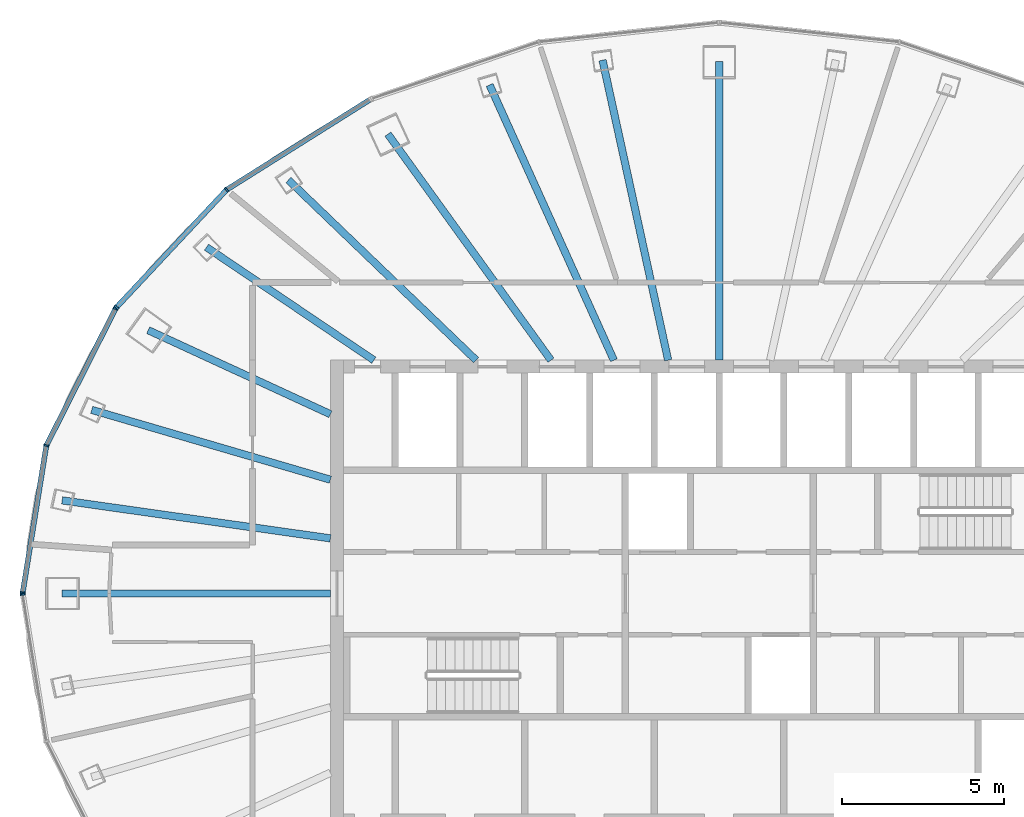
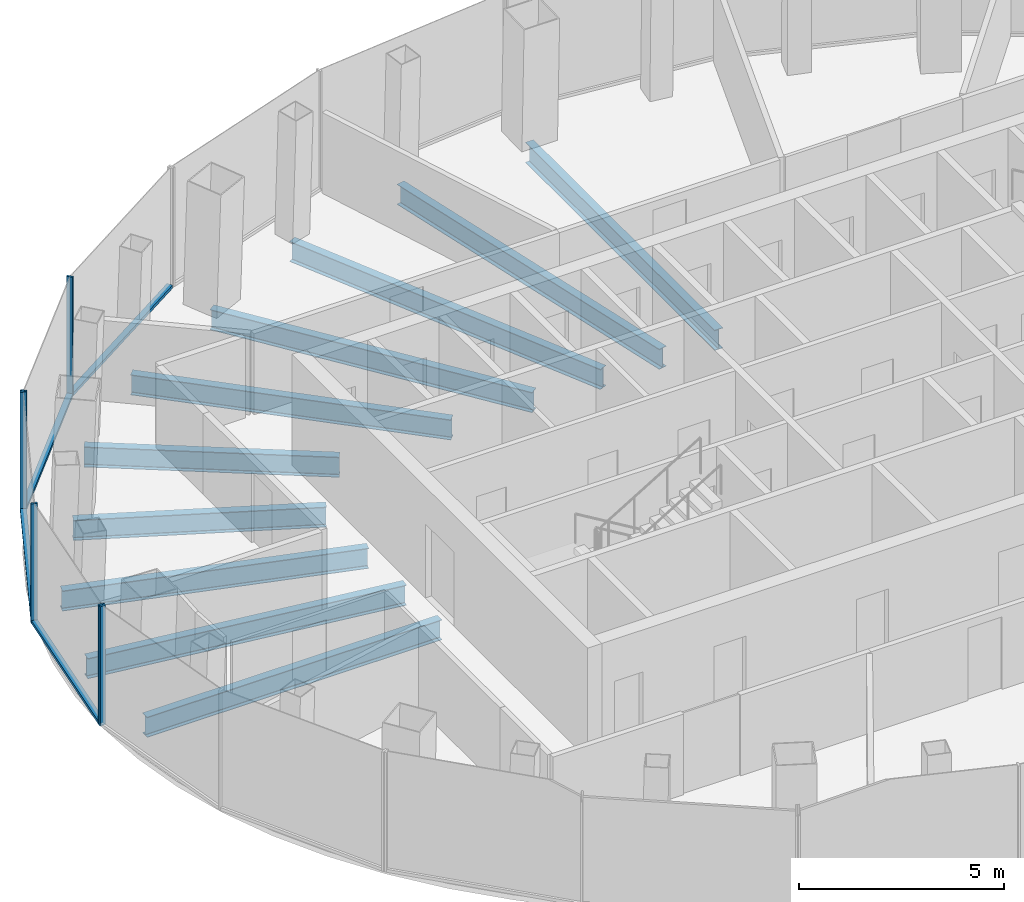
# One storey, part 4 of 12: 10 beams, 10 members, 3 elements without a shape of their own.
"""IFC4 building model written with IfcOpenShell, lengths in metres."""

from ifc_helpers import new_model, si_unit, direction, frame, origin, origin_2d, place, context, subcontext, project, spatial, rectangle, i_section, extrude, material, layer, layer_set, material_profile, profile_set, type_object, element, aggregate, save


model = new_model("IFC4")

# Units and contexts
model_context = context("Model", 3, precision=1e-05, world=origin(), true_north=direction((0.0, 1.0)))
body_context = subcontext(model_context, "Body", "Model", "MODEL_VIEW")
ifc_project = project(units=[si_unit("LENGTHUNIT", "METRE"), si_unit("AREAUNIT", "SQUARE_METRE"), si_unit("VOLUMEUNIT", "CUBIC_METRE"), si_unit("PLANEANGLEUNIT", "RADIAN"), si_unit("MASSUNIT", "GRAM", prefix="KILO")], contexts=[model_context])

# Site, building, storey
site_placement = place(None, origin())
site = spatial("IfcSite", under=ifc_project, at=site_placement, CompositionType="ELEMENT")
building_placement = place(site_placement, origin())
building = spatial("IfcBuilding", under=site, at=building_placement, Name="Siaravel Broadcast Tower", CompositionType="ELEMENT")
storey_placement = place(building_placement, frame((0.0, 0.0, 235.60009765625)))
storey = spatial("IfcBuildingStorey", under=building, at=storey_placement, Name="L57", CompositionType="ELEMENT", Elevation=235.60009765625)

# Beams
ifc_material_1 = material(Name="Steel S355", Category="steel")
ifc_material_profile_1 = material_profile(ifc_material_1, i_section(OverallWidth=0.2275390625, OverallDepth=0.6025390625, WebThickness=0.010498046875, FlangeThickness=0.014892578125, FilletRadius=0.0126953125, at=origin_2d()))
ifc_profile_set_1 = profile_set([ifc_material_profile_1], Name="Steel S355")
beam_type = type_object("IfcBeamType", Name="BM-UB 610x229x101", PredefinedType="BEAM", material=ifc_profile_set_1)
beam_1_placement = place(storey_placement, frame((0.0, 16.419189453125, -0.451416015625), z_axis=(0.0, -1.0, 0.0), x_axis=(1.0, 0.0, 0.0)))
element("IfcBeam", 1, at=beam_1_placement, inside=storey, type_object=beam_type, Name="Radial beam RB10", PredefinedType="BEAM", context=body_context, shape_type="SweptSolid", body=[
    extrude(i_section(OverallWidth=0.2275390625, OverallDepth=0.6025390625, WebThickness=0.010498046875, FlangeThickness=0.014892578125, FilletRadius=0.0126953125, at=origin_2d()), origin(), (0.0, 0.0, 1.0), 9.21923828125),
])
beam_2_placement = place(storey_placement, frame((-3.599609375, 16.461181640625, -0.451416015625), z_axis=(0.213621611, -0.976916479, 0.0), x_axis=(0.976916479, 0.213621611, 0.0)))
element("IfcBeam", 2, at=beam_2_placement, inside=storey, type_object=beam_type, Name="Radial beam RB11", PredefinedType="BEAM", context=body_context, shape_type="SweptSolid", body=[
    extrude(i_section(OverallWidth=0.2275390625, OverallDepth=0.6025390625, WebThickness=0.010498046875, FlangeThickness=0.014892578125, FilletRadius=0.0126953125, at=origin_2d()), origin(), (0.0, 0.0, 1.0), 9.47998046875),
])
beam_3_placement = place(storey_placement, frame((-7.086669921875, 15.696044921875, -0.451416015625), z_axis=(0.4114969, -0.911411159, 0.0), x_axis=(0.911411159, 0.4114969, 0.0)))
element("IfcBeam", 3, at=beam_3_placement, inside=storey, type_object=beam_type, Name="Radial beam RB12", PredefinedType="BEAM", context=body_context, shape_type="SweptSolid", body=[
    extrude(i_section(OverallWidth=0.2275390625, OverallDepth=0.6025390625, WebThickness=0.010498046875, FlangeThickness=0.014892578125, FilletRadius=0.0126953125, at=origin_2d()), origin(), (0.0, 0.0, 1.0), 9.322021484375),
])
beam_4_placement = place(storey_placement, frame((-10.2236328125, 14.177490234375, -0.451416015625), z_axis=(0.584910141, -0.811098099, 0.0), x_axis=(0.811098099, 0.584910141, 0.0)))
element("IfcBeam", 4, at=beam_4_placement, inside=storey, type_object=beam_type, Name="Radial beam RB13", PredefinedType="BEAM", context=body_context, shape_type="SweptSolid", body=[
    extrude(i_section(OverallWidth=0.2275390625, OverallDepth=0.6025390625, WebThickness=0.010498046875, FlangeThickness=0.014892578125, FilletRadius=0.0126953125, at=origin_2d()), origin(), (0.0, 0.0, 1.0), 8.6025390625),
])
beam_5_placement = place(storey_placement, frame((-13.294921875, 12.76123046875, -0.451416015625), z_axis=(0.721429237, -0.692488163, 0.0), x_axis=(0.692488163, 0.721429237, 0.0)))
element("IfcBeam", 5, at=beam_5_placement, inside=storey, type_object=beam_type, Name="Radial beam RB14", PredefinedType="BEAM", context=body_context, shape_type="SweptSolid", body=[
    extrude(i_section(OverallWidth=0.2275390625, OverallDepth=0.6025390625, WebThickness=0.010498046875, FlangeThickness=0.014892578125, FilletRadius=0.0126953125, at=origin_2d()), origin(), (0.0, 0.0, 1.0), 8.03076171875),
])
beam_6_placement = place(storey_placement, frame((-15.8251953125, 10.688720703125, -0.451416015625), z_axis=(0.828672445, -0.559733846, 0.0), x_axis=(0.559733846, 0.828672445, 0.0)))
element("IfcBeam", 6, at=beam_6_placement, inside=storey, type_object=beam_type, Name="Radial beam RB15", PredefinedType="BEAM", context=body_context, shape_type="SweptSolid", body=[
    extrude(i_section(OverallWidth=0.2275390625, OverallDepth=0.6025390625, WebThickness=0.010498046875, FlangeThickness=0.014892578125, FilletRadius=0.0126953125, at=origin_2d()), origin(), (0.0, 0.0, 1.0), 6.23291015625),
])
beam_7_placement = place(storey_placement, frame((-17.623291015625, 8.1259765625, -0.451416015625), z_axis=(0.908103573, -0.418745628, 0.0), x_axis=(0.418745628, 0.908103573, 0.0)))
element("IfcBeam", 7, at=beam_7_placement, inside=storey, type_object=beam_type, Name="Radial beam RB16", PredefinedType="BEAM", context=body_context, shape_type="SweptSolid", body=[
    extrude(i_section(OverallWidth=0.2275390625, OverallDepth=0.6025390625, WebThickness=0.010498046875, FlangeThickness=0.014892578125, FilletRadius=0.0126953125, at=origin_2d()), origin(), (0.0, 0.0, 1.0), 6.1923828125),
])
beam_8_placement = place(storey_placement, frame((-19.3671875, 5.6669921875, -0.451416015625), z_axis=(0.959763126, -0.280810864, 0.0), x_axis=(0.280810864, 0.959763126, 0.0)))
element("IfcBeam", 8, at=beam_8_placement, inside=storey, type_object=beam_type, Name="Radial beam RB17", PredefinedType="BEAM", context=body_context, shape_type="SweptSolid", body=[
    extrude(i_section(OverallWidth=0.2275390625, OverallDepth=0.6025390625, WebThickness=0.010498046875, FlangeThickness=0.014892578125, FilletRadius=0.0126953125, at=origin_2d()), origin(), (0.0, 0.0, 1.0), 7.676025390625),
])
beam_9_placement = place(storey_placement, frame((-20.281005859375, 2.873779296875, -0.451416015625), z_axis=(0.990110561, -0.140289258, 0.0), x_axis=(0.140289258, 0.990110561, 0.0)))
element("IfcBeam", 9, at=beam_9_placement, inside=storey, type_object=beam_type, Name="Radial beam RB18", PredefinedType="BEAM", context=body_context, shape_type="SweptSolid", body=[
    extrude(i_section(OverallWidth=0.2275390625, OverallDepth=0.6025390625, WebThickness=0.010498046875, FlangeThickness=0.014892578125, FilletRadius=0.0126953125, at=origin_2d()), origin(), (0.0, 0.0, 1.0), 8.36376953125),
])
beam_10_placement = place(storey_placement, frame((-20.2880859375, 0.0, -0.451416015625), z_axis=(1.0, 0.0, 0.0), x_axis=(0.0, 1.0, 0.0)))
element("IfcBeam", 10, at=beam_10_placement, inside=storey, type_object=beam_type, Name="Radial beam RB19", PredefinedType="BEAM", context=body_context, shape_type="SweptSolid", body=[
    extrude(i_section(OverallWidth=0.2275390625, OverallDepth=0.6025390625, WebThickness=0.010498046875, FlangeThickness=0.014892578125, FilletRadius=0.0126953125, at=origin_2d()), origin(), (0.0, 0.0, 1.0), 8.2880859375),
])

# Curtain wall, members
ifc_material_2 = material(Name="Aluminium 6063-T6", Category="aluminium")
ifc_layer = layer(ifc_material_2, 0.159912109375)
ifc_layer_set = layer_set([ifc_layer], Name="Aluminium 6063-T6")
curtain_wall_type = type_object("IfcCurtainWallType", Name="Unitised curtain wall, zone 4", PredefinedType="NOTDEFINED", material=ifc_layer_set)
curtain_wall_1_placement = place(storey_placement, origin())
curtain_wall_1 = element("IfcCurtainWall", 11, at=curtain_wall_1_placement, inside=storey, type_object=curtain_wall_type, Name="L57 Unitised curtain wall, zone 4 05", PredefinedType="NOTDEFINED")
ifc_material_profile_2 = material_profile(ifc_material_2, rectangle(XDim=0.159912109375, YDim=0.054931640625, at=origin_2d()))
ifc_profile_set_2 = profile_set([ifc_material_profile_2], Name="Aluminium 6063-T6")
member_type_1 = type_object("IfcMemberType", Name="CW-Z4 mullion", PredefinedType="MULLION", material=ifc_profile_set_2)
member_1_placement = place(storey_placement, frame((-15.200439453125, 12.463623046875, 0.0), z_axis=(0.0, 0.0, 1.0), x_axis=(0.636219746, -0.771507897, 0.0)))
member_1 = element("IfcMember", 12, at=member_1_placement, type_object=member_type_1, Name="CW-Z4 mullion 2", PredefinedType="MULLION", context=body_context, shape_type="SweptSolid", body=[
    extrude(rectangle(XDim=0.159912109375, YDim=0.054931640625, at=origin_2d()), origin(), (0.0, 0.0, 1.0), 3.5498046875),
])
member_2_placement = place(storey_placement, frame((-18.60009765625, 8.834716796875, 0.0), z_axis=(0.0, 0.0, 1.0), x_axis=(0.72980635, -0.683653927, 0.0)))
member_2 = element("IfcMember", 13, at=member_2_placement, type_object=member_type_1, Name="CW-Z4 mullion 3", PredefinedType="MULLION", context=body_context, shape_type="SweptSolid", body=[
    extrude(rectangle(XDim=0.159912109375, YDim=0.054931640625, at=origin_2d()), origin(), (0.0, 0.0, 1.0), 3.5498046875),
])

curtain_wall_2_placement = place(storey_placement, origin())
curtain_wall_2 = element("IfcCurtainWall", 14, at=curtain_wall_2_placement, inside=storey, type_object=curtain_wall_type, Name="L57 Unitised curtain wall, zone 4 06", PredefinedType="NOTDEFINED")
member_3_placement = place(storey_placement, frame((-18.63134765625, 8.7900390625, 0.0), z_axis=(0.0, 0.0, 1.0), x_axis=(0.89239278, -0.451259489, 0.0)))
member_3 = element("IfcMember", 15, at=member_3_placement, type_object=member_type_1, Name="CW-Z4 mullion 1", PredefinedType="MULLION", context=body_context, shape_type="SweptSolid", body=[
    extrude(rectangle(XDim=0.159912109375, YDim=0.054931640625, at=origin_2d()), origin(), (0.0, 0.0, 1.0), 3.5498046875),
])
member_4_placement = place(storey_placement, frame((-20.7685546875, 4.5634765625, 0.0), z_axis=(0.0, 0.0, 1.0), x_axis=(0.951177556, -0.308644223, 0.0)))
member_4 = element("IfcMember", 16, at=member_4_placement, type_object=member_type_1, Name="CW-Z4 mullion 2", PredefinedType="MULLION", context=body_context, shape_type="SweptSolid", body=[
    extrude(rectangle(XDim=0.159912109375, YDim=0.054931640625, at=origin_2d()), origin(), (0.0, 0.0, 1.0), 3.5498046875),
])
member_5_placement = place(storey_placement, frame((-21.49755859375, 0.027099609375, 0.0), z_axis=(0.0, 0.0, 1.0), x_axis=(0.987329287, -0.158684841, 0.0)))
member_5 = element("IfcMember", 17, at=member_5_placement, type_object=member_type_1, Name="CW-Z4 mullion 3", PredefinedType="MULLION", context=body_context, shape_type="SweptSolid", body=[
    extrude(rectangle(XDim=0.159912109375, YDim=0.054931640625, at=origin_2d()), origin(), (0.0, 0.0, 1.0), 3.5498046875),
])

# Curtain wall, member
curtain_wall_3_placement = place(storey_placement, origin())
curtain_wall_3 = element("IfcCurtainWall", 18, at=curtain_wall_3_placement, inside=storey, type_object=curtain_wall_type, Name="L57 Unitised curtain wall, zone 4 07", PredefinedType="NOTDEFINED")
member_6_placement = place(storey_placement, frame((-21.49755859375, -0.027099609375, 0.0), z_axis=(0.0, 0.0, 1.0), x_axis=(0.987329287, 0.158684841, 0.0)))
member_6 = element("IfcMember", 19, at=member_6_placement, type_object=member_type_1, Name="CW-Z4 mullion 1", PredefinedType="MULLION", context=body_context, shape_type="SweptSolid", body=[
    extrude(rectangle(XDim=0.159912109375, YDim=0.054931640625, at=origin_2d()), origin(), (0.0, 0.0, 1.0), 3.5498046875),
])
aggregate(curtain_wall_3, [member_6])

# Member
ifc_material_profile_3 = material_profile(ifc_material_2, rectangle(XDim=0.159912109375, YDim=0.090087890625, at=origin_2d()))
ifc_profile_set_3 = profile_set([ifc_material_profile_3], Name="Aluminium 6063-T6")
member_type_2 = type_object("IfcMemberType", Name="CW-Z4 transom", PredefinedType="USERDEFINED", material=ifc_profile_set_3)
member_7_placement = place(storey_placement, frame((-10.7939453125, 15.2333984375, 0.044921875), z_axis=(-0.846644441, -0.53215899, 0.0), x_axis=(0.53215899, -0.846644441, 0.0)))
member_7 = element("IfcMember", 20, at=member_7_placement, type_object=member_type_2, Name="CW-Z4 transom 1", ObjectType="TRANSOM", PredefinedType="USERDEFINED", context=body_context, shape_type="SweptSolid", body=[
    extrude(rectangle(XDim=0.159912109375, YDim=0.090087890625, at=origin_2d()), origin(), (0.0, 0.0, 1.0), 5.17724609375),
])

member_8_placement = place(storey_placement, frame((-15.21923828125, 12.443603515625, 0.044921875), z_axis=(-0.68367025, -0.729791059, 0.0), x_axis=(0.729791059, -0.68367025, 0.0)))
member_8 = element("IfcMember", 21, at=member_8_placement, type_object=member_type_2, Name="CW-Z4 transom 2", ObjectType="TRANSOM", PredefinedType="USERDEFINED", context=body_context, shape_type="SweptSolid", body=[
    extrude(rectangle(XDim=0.159912109375, YDim=0.090087890625, at=origin_2d()), origin(), (0.0, 0.0, 1.0), 4.917724609375),
])

aggregate(curtain_wall_1, [member_1, member_2, member_7, member_8])

member_9_placement = place(storey_placement, frame((-18.643798828125, 8.765380859375, 0.044921875), z_axis=(-0.451235344, -0.892404989, 0.0), x_axis=(0.892404989, -0.451235344, 0.0)))
member_9 = element("IfcMember", 22, at=member_9_placement, type_object=member_type_2, Name="CW-Z4 transom 1", ObjectType="TRANSOM", PredefinedType="USERDEFINED", context=body_context, shape_type="SweptSolid", body=[
    extrude(rectangle(XDim=0.159912109375, YDim=0.090087890625, at=origin_2d()), origin(), (0.0, 0.0, 1.0), 4.68115234375),
])

member_10_placement = place(storey_placement, frame((-20.77294921875, 4.536376953125, 0.044921875), z_axis=(-0.158701499, -0.98732661, 0.0), x_axis=(0.98732661, -0.158701499, 0.0)))
member_10 = element("IfcMember", 23, at=member_10_placement, type_object=member_type_2, Name="CW-Z4 transom 2", ObjectType="TRANSOM", PredefinedType="USERDEFINED", context=body_context, shape_type="SweptSolid", body=[
    extrude(rectangle(XDim=0.159912109375, YDim=0.090087890625, at=origin_2d()), origin(), (0.0, 0.0, 1.0), 4.539794921875),
])

aggregate(curtain_wall_2, [member_3, member_4, member_5, member_9, member_10])

save(model, "model.ifc")
